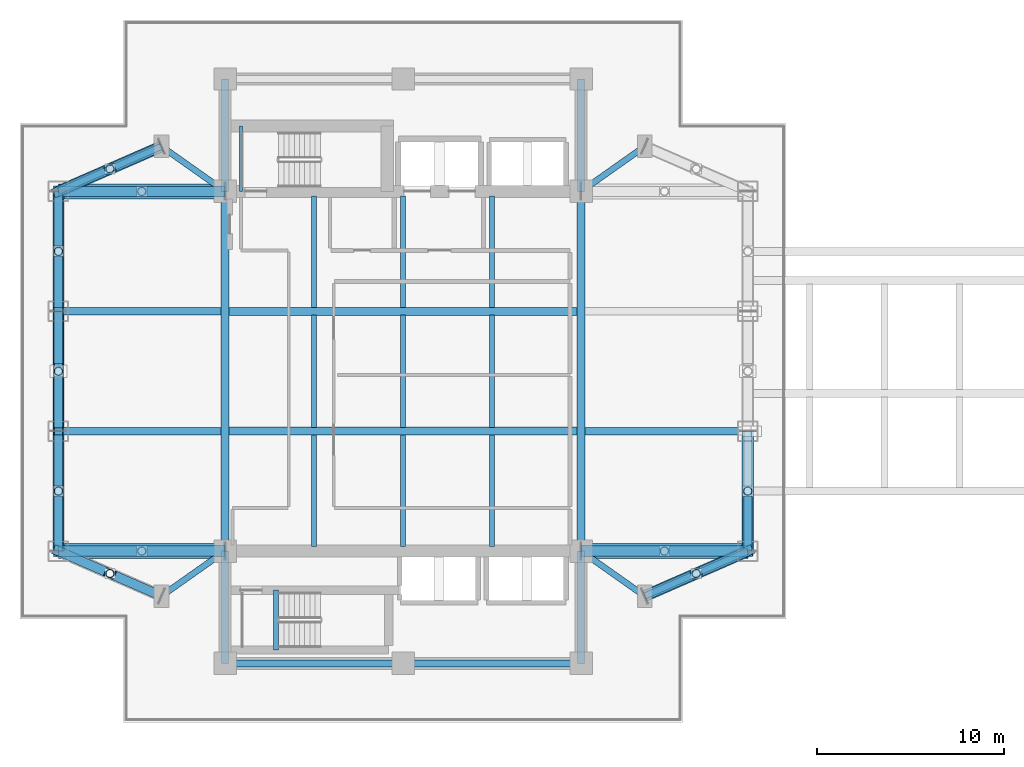
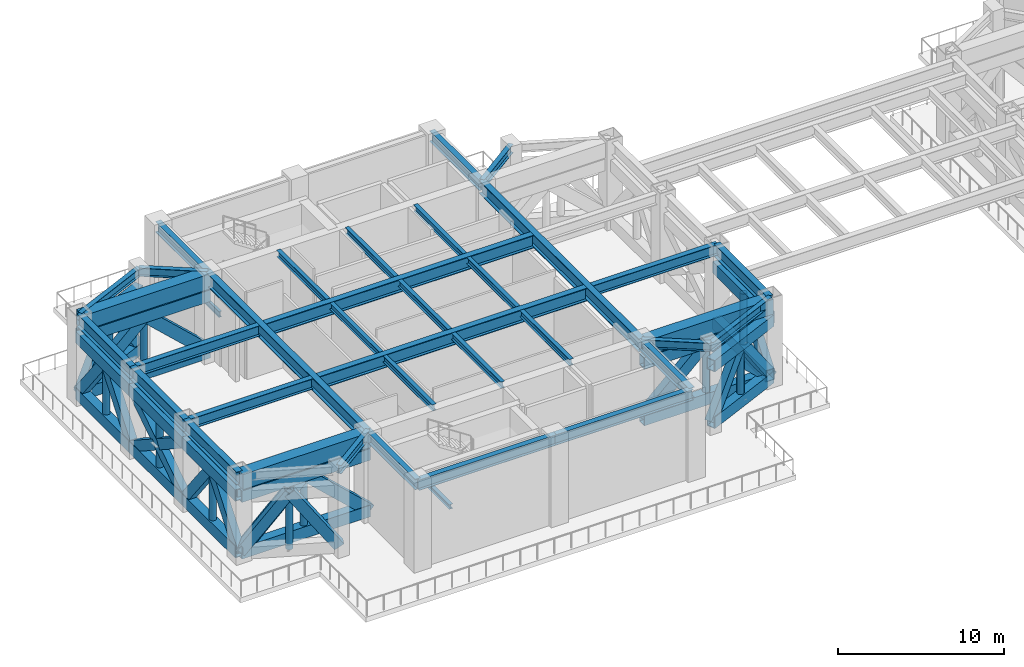
# One storey, part 2 of 21: 48 members, 37 beams.
"""IFC4 building model written with IfcOpenShell, lengths in metres."""

from ifc_helpers import new_model, si_unit, direction, frame, origin, origin_2d, place, context, subcontext, project, spatial, rectangle, hollow_rectangle, hollow_circle, i_section, extrude, material, material_profile, profile_set, type_object, element, save


model = new_model("IFC4")

# Units and contexts
model_context = context("Model", 3, precision=1e-05, world=origin(), true_north=direction((0.0, 1.0)))
body_context = subcontext(model_context, "Body", "Model", "MODEL_VIEW")
ifc_project = project(units=[si_unit("LENGTHUNIT", "METRE"), si_unit("AREAUNIT", "SQUARE_METRE"), si_unit("VOLUMEUNIT", "CUBIC_METRE"), si_unit("PLANEANGLEUNIT", "RADIAN"), si_unit("MASSUNIT", "GRAM", prefix="KILO")], contexts=[model_context])

# Site, building, storey
site_placement = place(None, origin())
site = spatial("IfcSite", under=ifc_project, at=site_placement, CompositionType="ELEMENT")
building_placement = place(site_placement, origin())
building = spatial("IfcBuilding", under=site, at=building_placement, Name="Mirazonda Arch Towers", CompositionType="ELEMENT")
storey_placement = place(building_placement, frame((0.0, 0.0, 81.800048828125)))
storey = spatial("IfcBuildingStorey", under=building, at=storey_placement, Name="L23", CompositionType="ELEMENT", Elevation=81.800048828125)

# Beams
ifc_material_1 = material(Name="Steel ASTM A992 Grade 50", Category="steel")
ifc_material_profile_1 = material_profile(ifc_material_1, i_section(OverallWidth=0.41796875, OverallDepth=0.927001953125, WebThickness=0.019287109375, FlangeThickness=0.031982421875, at=origin_2d()), Name="W36X231")
ifc_profile_set_1 = profile_set([ifc_material_profile_1], Name="Steel ASTM A992 Grade 50")
beam_type_1 = type_object("IfcBeamType", Name="BM-EXT-W36X231", PredefinedType="USERDEFINED", material=ifc_profile_set_1)
beam_1_placement = place(storey_placement, frame((2.10009765625, 18.39990234375, 5.91650390625), z_axis=(0.0, 1.0, 0.0), x_axis=(-1.0, 0.0, 0.0)))
element("IfcBeam", 1, at=beam_1_placement, inside=storey, type_object=beam_type_1, Name="L23 Floor Beam BM-T1-L23-NS-W-18", ObjectType="GIRDER", PredefinedType="USERDEFINED", context=body_context, shape_type="SweptSolid", body=[
    extrude(i_section(OverallWidth=0.41796875, OverallDepth=0.927001953125, WebThickness=0.019287109375, FlangeThickness=0.031982421875, at=origin_2d()), origin(), (0.0, 0.0, 1.0), 6.400146484375),
])
beam_2_placement = place(storey_placement, frame((2.10009765625, 24.800048828125, 5.91650390625), z_axis=(0.0, 1.0, 0.0), x_axis=(-1.0, 0.0, 0.0)))
element("IfcBeam", 2, at=beam_2_placement, inside=storey, type_object=beam_type_1, Name="L23 Floor Beam BM-T1-L23-NS-W-24", ObjectType="GIRDER", PredefinedType="USERDEFINED", context=body_context, shape_type="SweptSolid", body=[
    extrude(i_section(OverallWidth=0.41796875, OverallDepth=0.927001953125, WebThickness=0.019287109375, FlangeThickness=0.031982421875, at=origin_2d()), origin(), (0.0, 0.0, 1.0), 6.39990234375),
])
for number, where, z_axis, x_axis, name in (
    (3, (2.10009765625, 31.199951171875, 5.91650390625), (0.0, 1.0, 0.0), (-1.0, 0.0, 0.0), "L23 Floor Beam BM-T1-L23-NS-W-31"),
    (4, (38.89990234375, 18.39990234375, 5.91650390625), (0.0, 1.0, 0.0), (-1.0, 0.0, 0.0), "L23 Floor Beam BM-T1-L23-NS-E-18"),
):
    element("IfcBeam", number, at=place(storey_placement, frame(where, z_axis=z_axis, x_axis=x_axis)), inside=storey, type_object=beam_type_1, Name=name, ObjectType="GIRDER", PredefinedType="USERDEFINED", context=body_context, shape_type="SweptSolid", body=[
        extrude(i_section(OverallWidth=0.41796875, OverallDepth=0.927001953125, WebThickness=0.019287109375, FlangeThickness=0.031982421875, at=origin_2d()), origin(), (0.0, 0.0, 1.0), 6.400146484375),
    ])
ifc_material_profile_2 = material_profile(ifc_material_1, i_section(OverallWidth=0.257080078125, OverallDepth=0.330078125, WebThickness=0.011962890625, FlangeThickness=0.01953125, at=origin_2d()), Name="W10X68")
ifc_profile_set_2 = profile_set([ifc_material_profile_2], Name="Steel ASTM A992 Grade 50")
beam_type_2 = type_object("IfcBeamType", Name="BM-INT-W10X68", PredefinedType="BEAM", material=ifc_profile_set_2)
beam_3_placement = place(storey_placement, frame((13.719970703125, 13.1201171875, 2.93505859375), z_axis=(0.0, 1.0, 0.0), x_axis=(-1.0, 0.0, 0.0)))
element("IfcBeam", 5, at=beam_3_placement, inside=storey, type_object=beam_type_2, Name="L23 ST-T1S Landing Trimmer Beam", PredefinedType="BEAM", context=body_context, shape_type="SweptSolid", body=[
    extrude(i_section(OverallWidth=0.257080078125, OverallDepth=0.330078125, WebThickness=0.011962890625, FlangeThickness=0.01953125, at=origin_2d()), origin(), (0.0, 0.0, 1.0), 3.199951171875),
])
ifc_material_profile_3 = material_profile(ifc_material_1, i_section(OverallWidth=0.180908203125, OverallDepth=0.4169921875, WebThickness=0.010986328125, FlangeThickness=0.018310546875, at=origin_2d()), Name="W16X57")
ifc_profile_set_3 = profile_set([ifc_material_profile_3], Name="Steel ASTM A992 Grade 50")
beam_type_3 = type_object("IfcBeamType", Name="BM-INT-W16X57", PredefinedType="JOIST", material=ifc_profile_set_3)
beam_4_placement = place(storey_placement, frame((11.85009765625, 37.60009765625, 2.841552734375), z_axis=(0.0, 1.0, 0.0), x_axis=(-1.0, 0.0, 0.0)))
element("IfcBeam", 6, at=beam_4_placement, inside=storey, type_object=beam_type_3, Name="L23 Floor Beam BM-T1-L23-STL2", PredefinedType="JOIST", context=body_context, shape_type="SweptSolid", body=[
    extrude(i_section(OverallWidth=0.180908203125, OverallDepth=0.4169921875, WebThickness=0.010986328125, FlangeThickness=0.018310546875, at=origin_2d()), origin(), (0.0, 0.0, 1.0), 3.492919921875),
])
ifc_material_profile_4 = material_profile(ifc_material_1, i_section(OverallWidth=0.280029296875, OverallDepth=0.462890625, WebThickness=0.0107421875, FlangeThickness=0.017333984375, at=origin_2d()), Name="W18X76")
ifc_profile_set_4 = profile_set([ifc_material_profile_4], Name="Steel ASTM A992 Grade 50")
beam_type_4 = type_object("IfcBeamType", Name="BM-INT-W18X76", PredefinedType="JOIST", material=ifc_profile_set_4)
for number, where, z_axis, x_axis, name in (
    (7, (15.75, 18.639892578125, 6.1484375), (0.0, 1.0, 0.0), (-1.0, 0.0, 0.0), "L23 Floor Beam BM-T1-L23-J-157-18"),
    (8, (15.75, 31.407470703125, 6.1484375), (0.0, 1.0, 0.0), (-1.0, 0.0, 0.0), "L23 Floor Beam BM-T1-L23-J-157-31"),
):
    element("IfcBeam", number, at=place(storey_placement, frame(where, z_axis=z_axis, x_axis=x_axis)), inside=storey, type_object=beam_type_4, Name=name, PredefinedType="JOIST", context=body_context, shape_type="SweptSolid", body=[
        extrude(i_section(OverallWidth=0.280029296875, OverallDepth=0.462890625, WebThickness=0.0107421875, FlangeThickness=0.017333984375, at=origin_2d()), origin(), (0.0, 0.0, 1.0), 5.95263671875),
    ])
beam_5_placement = place(storey_placement, frame((15.75, 25.007568359375, 6.1484375), z_axis=(0.0, 1.0, 0.0), x_axis=(-1.0, 0.0, 0.0)))
element("IfcBeam", 9, at=beam_5_placement, inside=storey, type_object=beam_type_4, Name="L23 Floor Beam BM-T1-L23-J-157-24", PredefinedType="JOIST", context=body_context, shape_type="SweptSolid", body=[
    extrude(i_section(OverallWidth=0.280029296875, OverallDepth=0.462890625, WebThickness=0.0107421875, FlangeThickness=0.017333984375, at=origin_2d()), origin(), (0.0, 0.0, 1.0), 5.98486328125),
])
for number, where, z_axis, x_axis, name in (
    (10, (20.5, 18.639892578125, 6.1484375), (0.0, 1.0, 0.0), (-1.0, 0.0, 0.0), "L23 Floor Beam BM-T1-L23-J-205-18"),
    (11, (20.5, 31.407470703125, 6.1484375), (0.0, 1.0, 0.0), (-1.0, 0.0, 0.0), "L23 Floor Beam BM-T1-L23-J-205-31"),
):
    element("IfcBeam", number, at=place(storey_placement, frame(where, z_axis=z_axis, x_axis=x_axis)), inside=storey, type_object=beam_type_4, Name=name, PredefinedType="JOIST", context=body_context, shape_type="SweptSolid", body=[
        extrude(i_section(OverallWidth=0.280029296875, OverallDepth=0.462890625, WebThickness=0.0107421875, FlangeThickness=0.017333984375, at=origin_2d()), origin(), (0.0, 0.0, 1.0), 5.95263671875),
    ])
beam_6_placement = place(storey_placement, frame((20.5, 25.007568359375, 6.1484375), z_axis=(0.0, 1.0, 0.0), x_axis=(-1.0, 0.0, 0.0)))
element("IfcBeam", 12, at=beam_6_placement, inside=storey, type_object=beam_type_4, Name="L23 Floor Beam BM-T1-L23-J-205-24", PredefinedType="JOIST", context=body_context, shape_type="SweptSolid", body=[
    extrude(i_section(OverallWidth=0.280029296875, OverallDepth=0.462890625, WebThickness=0.0107421875, FlangeThickness=0.017333984375, at=origin_2d()), origin(), (0.0, 0.0, 1.0), 5.98486328125),
])
for number, where, z_axis, x_axis, name in (
    (13, (25.25, 18.639892578125, 6.1484375), (0.0, 1.0, 0.0), (-1.0, 0.0, 0.0), "L23 Floor Beam BM-T1-L23-J-252-18"),
    (14, (25.25, 31.407470703125, 6.1484375), (0.0, 1.0, 0.0), (-1.0, 0.0, 0.0), "L23 Floor Beam BM-T1-L23-J-252-31"),
):
    element("IfcBeam", number, at=place(storey_placement, frame(where, z_axis=z_axis, x_axis=x_axis)), inside=storey, type_object=beam_type_4, Name=name, PredefinedType="JOIST", context=body_context, shape_type="SweptSolid", body=[
        extrude(i_section(OverallWidth=0.280029296875, OverallDepth=0.462890625, WebThickness=0.0107421875, FlangeThickness=0.017333984375, at=origin_2d()), origin(), (0.0, 0.0, 1.0), 5.95263671875),
    ])
beam_7_placement = place(storey_placement, frame((25.25, 25.007568359375, 6.1484375), z_axis=(0.0, 1.0, 0.0), x_axis=(-1.0, 0.0, 0.0)))
element("IfcBeam", 15, at=beam_7_placement, inside=storey, type_object=beam_type_4, Name="L23 Floor Beam BM-T1-L23-J-252-24", PredefinedType="JOIST", context=body_context, shape_type="SweptSolid", body=[
    extrude(i_section(OverallWidth=0.280029296875, OverallDepth=0.462890625, WebThickness=0.0107421875, FlangeThickness=0.017333984375, at=origin_2d()), origin(), (0.0, 0.0, 1.0), 5.98486328125),
])
ifc_material_profile_5 = material_profile(ifc_material_1, i_section(OverallWidth=0.324951171875, OverallDepth=0.615966796875, WebThickness=0.013916015625, FlangeThickness=0.021484375, at=origin_2d()), Name="W24X117")
ifc_profile_set_5 = profile_set([ifc_material_profile_5], Name="Steel ASTM A992 Grade 50")
beam_type_5 = type_object("IfcBeamType", Name="BM-INT-W24X117", PredefinedType="BEAM", material=ifc_profile_set_5)
for number, where, z_axis, x_axis, name in (
    (16, (7.60009765625, 16.0, 6.072021484375), (0.816971114901, 0.576678591087, 0.0), (-0.576678591087, 0.816971114901, 0.0), "L23 Floor Beam BM-T1-L23-PL-SW1"),
    (17, (33.39990234375, 16.0, 6.072021484375), (-0.816971114901, 0.576678591087, 0.0), (-0.576678591087, -0.816971114901, 0.0), "L23 Floor Beam BM-T1-L23-PL-SE1"),
):
    element("IfcBeam", number, at=place(storey_placement, frame(where, z_axis=z_axis, x_axis=x_axis)), inside=storey, type_object=beam_type_5, Name=name, PredefinedType="BEAM", context=body_context, shape_type="SweptSolid", body=[
        extrude(i_section(OverallWidth=0.324951171875, OverallDepth=0.615966796875, WebThickness=0.013916015625, FlangeThickness=0.021484375, at=origin_2d()), origin(), (0.0, 0.0, 1.0), 4.16162109375),
    ])
beam_8_placement = place(storey_placement, frame((33.39990234375, 16.0, 6.072021484375), z_axis=(0.916545343703, 0.399930785183, 0.0), x_axis=(-0.399930785183, 0.916545343703, 0.0)))
element("IfcBeam", 18, at=beam_8_placement, inside=storey, type_object=beam_type_5, Name="L23 Floor Beam BM-T1-L23-PL-SE2", PredefinedType="BEAM", context=body_context, shape_type="SweptSolid", body=[
    extrude(i_section(OverallWidth=0.324951171875, OverallDepth=0.615966796875, WebThickness=0.013916015625, FlangeThickness=0.021484375, at=origin_2d()), origin(), (0.0, 0.0, 1.0), 6.000732421875),
])
beam_9_placement = place(storey_placement, frame((7.60009765625, 40.0, 6.072021484375), z_axis=(0.816971114901, -0.576678591087, 0.0), x_axis=(0.576678591087, 0.816971114901, 0.0)))
element("IfcBeam", 19, at=beam_9_placement, inside=storey, type_object=beam_type_5, Name="L23 Floor Beam BM-T1-L23-PL-NW1", PredefinedType="BEAM", context=body_context, shape_type="SweptSolid", body=[
    extrude(i_section(OverallWidth=0.324951171875, OverallDepth=0.615966796875, WebThickness=0.013916015625, FlangeThickness=0.021484375, at=origin_2d()), origin(), (0.0, 0.0, 1.0), 4.16162109375),
])
beam_10_placement = place(storey_placement, frame((7.60009765625, 40.0, 6.072021484375), z_axis=(-0.916545343703, -0.399930785183, 0.0), x_axis=(0.399930785183, -0.916545343703, 0.0)))
element("IfcBeam", 20, at=beam_10_placement, inside=storey, type_object=beam_type_5, Name="L23 Floor Beam BM-T1-L23-PL-NW2", PredefinedType="BEAM", context=body_context, shape_type="SweptSolid", body=[
    extrude(i_section(OverallWidth=0.324951171875, OverallDepth=0.615966796875, WebThickness=0.013916015625, FlangeThickness=0.021484375, at=origin_2d()), origin(), (0.0, 0.0, 1.0), 6.000732421875),
])
beam_11_placement = place(storey_placement, frame((33.39990234375, 40.0, 6.072021484375), z_axis=(-0.816971114901, -0.576678591087, 0.0), x_axis=(0.576678591087, -0.816971114901, 0.0)))
element("IfcBeam", 21, at=beam_11_placement, inside=storey, type_object=beam_type_5, Name="L23 Floor Beam BM-T1-L23-PL-NE1", PredefinedType="BEAM", context=body_context, shape_type="SweptSolid", body=[
    extrude(i_section(OverallWidth=0.324951171875, OverallDepth=0.615966796875, WebThickness=0.013916015625, FlangeThickness=0.021484375, at=origin_2d()), origin(), (0.0, 0.0, 1.0), 4.16162109375),
])
ifc_material_profile_6 = material_profile(ifc_material_1, i_section(OverallWidth=0.381103515625, OverallDepth=0.77294921875, WebThickness=0.0166015625, FlangeThickness=0.027099609375, at=origin_2d()), Name="W30X173")
ifc_profile_set_6 = profile_set([ifc_material_profile_6], Name="Steel ASTM A992 Grade 50")
beam_type_6 = type_object("IfcBeamType", Name="BM-INT-W30X173", PredefinedType="USERDEFINED", material=ifc_profile_set_6)
for number, where, z_axis, x_axis, name in (
    (22, (2.10009765625, 24.800048828125, 5.993408203125), (1.0, 0.0, 0.0), (0.0, 1.0, 0.0), "L23 Floor Beam BM-T1-L23-GW2"),
    (23, (30.21142578125, 24.800048828125, 5.993408203125), (1.0, 0.0, 0.0), (0.0, 1.0, 0.0), "L23 Floor Beam BM-T1-L23-GE2"),
    (24, (2.10009765625, 31.199951171875, 5.993408203125), (1.0, 0.0, 0.0), (0.0, 1.0, 0.0), "L23 Floor Beam BM-T1-L23-GW3"),
):
    element("IfcBeam", number, at=place(storey_placement, frame(where, z_axis=z_axis, x_axis=x_axis)), inside=storey, type_object=beam_type_6, Name=name, ObjectType="GIRDER", PredefinedType="USERDEFINED", context=body_context, shape_type="SweptSolid", body=[
        extrude(i_section(OverallWidth=0.381103515625, OverallDepth=0.77294921875, WebThickness=0.0166015625, FlangeThickness=0.027099609375, at=origin_2d()), origin(), (0.0, 0.0, 1.0), 8.6884765625),
    ])
for number, where, z_axis, x_axis, name in (
    (25, (11.0, 12.39990234375, 5.993408203125), (1.0, 0.0, 0.0), (0.0, 1.0, 0.0), "L23 Floor Beam BM-T1-L23-CS1"),
    (26, (20.5, 12.39990234375, 5.993408203125), (1.0, 0.0, 0.0), (0.0, 1.0, 0.0), "L23 Floor Beam BM-T1-L23-CS2"),
):
    element("IfcBeam", number, at=place(storey_placement, frame(where, z_axis=z_axis, x_axis=x_axis)), inside=storey, type_object=beam_type_6, Name=name, ObjectType="GIRDER", PredefinedType="USERDEFINED", context=body_context, shape_type="SweptSolid", body=[
        extrude(i_section(OverallWidth=0.381103515625, OverallDepth=0.77294921875, WebThickness=0.0166015625, FlangeThickness=0.027099609375, at=origin_2d()), origin(), (0.0, 0.0, 1.0), 9.5),
    ])
for number, where, z_axis, x_axis, name in (
    (27, (11.0, 12.39990234375, 5.993408203125), (0.0, 1.0, 0.0), (-1.0, 0.0, 0.0), "L23 Floor Beam BM-T1-L23-CSW"),
    (28, (30.0, 12.39990234375, 5.993408203125), (0.0, 1.0, 0.0), (-1.0, 0.0, 0.0), "L23 Floor Beam BM-T1-L23-CSE"),
    (29, (11.0, 37.60009765625, 5.993408203125), (0.0, 1.0, 0.0), (-1.0, 0.0, 0.0), "L23 Floor Beam BM-T1-L23-CNW"),
    (30, (30.0, 37.60009765625, 5.993408203125), (0.0, 1.0, 0.0), (-1.0, 0.0, 0.0), "L23 Floor Beam BM-T1-L23-CNE"),
):
    element("IfcBeam", number, at=place(storey_placement, frame(where, z_axis=z_axis, x_axis=x_axis)), inside=storey, type_object=beam_type_6, Name=name, ObjectType="GIRDER", PredefinedType="USERDEFINED", context=body_context, shape_type="SweptSolid", body=[
        extrude(i_section(OverallWidth=0.381103515625, OverallDepth=0.77294921875, WebThickness=0.0166015625, FlangeThickness=0.027099609375, at=origin_2d()), origin(), (0.0, 0.0, 1.0), 6.0),
    ])
ifc_material_profile_7 = material_profile(ifc_material_1, i_section(OverallWidth=0.423095703125, OverallDepth=0.947998046875, WebThickness=0.02392578125, FlangeThickness=0.042724609375, at=origin_2d()), Name="W36X302")
ifc_profile_set_7 = profile_set([ifc_material_profile_7], Name="Steel ASTM A992 Grade 50")
beam_type_7 = type_object("IfcBeamType", Name="BM-INT-W36X302", PredefinedType="USERDEFINED", material=ifc_profile_set_7)
for number, where, z_axis, x_axis, name in (
    (31, (11.21142578125, 24.800048828125, 5.906005859375), (1.0, 0.0, 0.0), (0.0, 1.0, 0.0), "L23 Floor Beam BM-T1-L23-GC2"),
    (32, (11.21142578125, 31.199951171875, 5.906005859375), (1.0, 0.0, 0.0), (0.0, 1.0, 0.0), "L23 Floor Beam BM-T1-L23-GC3"),
):
    element("IfcBeam", number, at=place(storey_placement, frame(where, z_axis=z_axis, x_axis=x_axis)), inside=storey, type_object=beam_type_7, Name=name, ObjectType="GIRDER", PredefinedType="USERDEFINED", context=body_context, shape_type="SweptSolid", body=[
        extrude(i_section(OverallWidth=0.423095703125, OverallDepth=0.947998046875, WebThickness=0.02392578125, FlangeThickness=0.042724609375, at=origin_2d()), origin(), (0.0, 0.0, 1.0), 18.5771484375),
    ])
for number, where, z_axis, x_axis, name in (
    (33, (11.0, 18.39990234375, 5.906005859375), (0.0, 1.0, 0.0), (-1.0, 0.0, 0.0), "L23 Floor Beam BM-T1-L23-NS-CW-FULL"),
    (34, (30.0, 18.39990234375, 5.906005859375), (0.0, 1.0, 0.0), (-1.0, 0.0, 0.0), "L23 Floor Beam BM-T1-L23-NS-CE-FULL"),
):
    element("IfcBeam", number, at=place(storey_placement, frame(where, z_axis=z_axis, x_axis=x_axis)), inside=storey, type_object=beam_type_7, Name=name, ObjectType="GIRDER", PredefinedType="USERDEFINED", context=body_context, shape_type="SweptSolid", body=[
        extrude(i_section(OverallWidth=0.423095703125, OverallDepth=0.947998046875, WebThickness=0.02392578125, FlangeThickness=0.042724609375, at=origin_2d()), origin(), (0.0, 0.0, 1.0), 19.2001953125),
    ])
ifc_material_2 = material(Name="Concrete C60/75", Category="concrete")
ifc_material_profile_8 = material_profile(ifc_material_2, rectangle(XDim=0.800048828125, YDim=1.10009765625, at=origin_2d()), Name="RCCB800x1100")
ifc_profile_set_8 = profile_set([ifc_material_profile_8], Name="Concrete C60/75")
beam_type_8 = type_object("IfcBeamType", Name="CB-INT-RCCB800x1100", PredefinedType="SPANDREL", material=ifc_profile_set_8)
for number, where, z_axis, x_axis, name in (
    (35, (2.10009765625, 37.60009765625, 5.829833984375), (1.0, 0.0, 0.0), (0.0, 1.0, 0.0), "L23 Floor Beam CB-T1-L23-NW"),
    (36, (2.10009765625, 18.39990234375, 5.829833984375), (1.0, 0.0, 0.0), (0.0, 1.0, 0.0), "L23 Floor Beam CB-T1-L23-SW"),
    (37, (30.0, 18.39990234375, 5.829833984375), (1.0, 0.0, 0.0), (0.0, 1.0, 0.0), "L23 Floor Beam CB-T1-L23-SE"),
):
    element("IfcBeam", number, at=place(storey_placement, frame(where, z_axis=z_axis, x_axis=x_axis)), inside=storey, type_object=beam_type_8, Name=name, PredefinedType="SPANDREL", context=body_context, shape_type="SweptSolid", body=[
        extrude(rectangle(XDim=0.800048828125, YDim=1.10009765625, at=origin_2d()), origin(), (0.0, 0.0, 1.0), 8.89990234375),
    ])

# Members
ifc_material_3 = material(Name="Steel ASTM A572 Grade 50", Category="steel")
ifc_material_profile_9 = material_profile(ifc_material_3, hollow_rectangle(XDim=0.60009765625, YDim=0.85009765625, WallThickness=0.048095703125, at=origin_2d()), Name="BELTCHORD850x600x48")
ifc_profile_set_9 = profile_set([ifc_material_profile_9], Name="Steel ASTM A572 Grade 50")
member_type_1 = type_object("IfcMemberType", Name="MBR-EXT-BELTCHORD850x600x48", PredefinedType="CHORD", material=ifc_profile_set_9)
for number, where, z_axis, x_axis, name in (
    (38, (2.10009765625, 18.39990234375, 0.550048828125), (0.0, 1.0, 0.0), (-1.0, 0.0, 0.0), "L23 T1 Wind-Portal Belt Chord BC01"),
    (39, (2.10009765625, 18.39990234375, 4.699951171875), (0.0, 1.0, 0.0), (-1.0, 0.0, 0.0), "L23 T1 Wind-Portal Belt Chord TC01"),
):
    element("IfcMember", number, at=place(storey_placement, frame(where, z_axis=z_axis, x_axis=x_axis)), inside=storey, type_object=member_type_1, Name=name, PredefinedType="CHORD", context=body_context, shape_type="SweptSolid", body=[
        extrude(hollow_rectangle(XDim=0.60009765625, YDim=0.85009765625, WallThickness=0.048095703125, at=origin_2d()), origin(), (0.0, 0.0, 1.0), 6.400146484375),
    ])
for number, where, z_axis, x_axis, name in (
    (40, (2.10009765625, 24.800048828125, 0.550048828125), (0.0, 1.0, 0.0), (-1.0, 0.0, 0.0), "L23 T1 Wind-Portal Belt Chord BC02"),
    (41, (2.10009765625, 24.800048828125, 4.699951171875), (0.0, 1.0, 0.0), (-1.0, 0.0, 0.0), "L23 T1 Wind-Portal Belt Chord TC02"),
):
    element("IfcMember", number, at=place(storey_placement, frame(where, z_axis=z_axis, x_axis=x_axis)), inside=storey, type_object=member_type_1, Name=name, PredefinedType="CHORD", context=body_context, shape_type="SweptSolid", body=[
        extrude(hollow_rectangle(XDim=0.60009765625, YDim=0.85009765625, WallThickness=0.048095703125, at=origin_2d()), origin(), (0.0, 0.0, 1.0), 6.39990234375),
    ])
for number, where, z_axis, x_axis, name in (
    (42, (2.10009765625, 31.199951171875, 0.550048828125), (0.0, 1.0, 0.0), (-1.0, 0.0, 0.0), "L23 T1 Wind-Portal Belt Chord BC03"),
    (43, (2.10009765625, 31.199951171875, 4.699951171875), (0.0, 1.0, 0.0), (-1.0, 0.0, 0.0), "L23 T1 Wind-Portal Belt Chord TC03"),
    (44, (38.89990234375, 18.39990234375, 0.550048828125), (0.0, 1.0, 0.0), (-1.0, 0.0, 0.0), "L23 T1 Wind-Portal Belt Chord BC04"),
    (45, (38.89990234375, 18.39990234375, 4.699951171875), (0.0, 1.0, 0.0), (-1.0, 0.0, 0.0), "L23 T1 Wind-Portal Belt Chord TC04"),
):
    element("IfcMember", number, at=place(storey_placement, frame(where, z_axis=z_axis, x_axis=x_axis)), inside=storey, type_object=member_type_1, Name=name, PredefinedType="CHORD", context=body_context, shape_type="SweptSolid", body=[
        extrude(hollow_rectangle(XDim=0.60009765625, YDim=0.85009765625, WallThickness=0.048095703125, at=origin_2d()), origin(), (0.0, 0.0, 1.0), 6.400146484375),
    ])
for number, where, z_axis, x_axis, name in (
    (46, (33.39990234375, 16.0, 0.550048828125), (0.916545343703, 0.399930785183, 0.0), (-0.399930785183, 0.916545343703, 0.0), "L23 T1 Wind-Portal Belt Chord BC08"),
    (47, (33.39990234375, 16.0, 4.699951171875), (0.916545343703, 0.399930785183, 0.0), (-0.399930785183, 0.916545343703, 0.0), "L23 T1 Wind-Portal Belt Chord TC08"),
    (48, (2.10009765625, 37.60009765625, 0.550048828125), (0.916545343703, 0.399930785183, 0.0), (-0.399930785183, 0.916545343703, 0.0), "L23 T1 Wind-Portal Belt Chord BC09"),
    (49, (2.10009765625, 37.60009765625, 4.699951171875), (0.916545343703, 0.399930785183, 0.0), (-0.399930785183, 0.916545343703, 0.0), "L23 T1 Wind-Portal Belt Chord TC09"),
):
    element("IfcMember", number, at=place(storey_placement, frame(where, z_axis=z_axis, x_axis=x_axis)), inside=storey, type_object=member_type_1, Name=name, PredefinedType="CHORD", context=body_context, shape_type="SweptSolid", body=[
        extrude(hollow_rectangle(XDim=0.60009765625, YDim=0.85009765625, WallThickness=0.048095703125, at=origin_2d()), origin(), (0.0, 0.0, 1.0), 6.000732421875),
    ])
ifc_material_profile_10 = material_profile(ifc_material_3, hollow_rectangle(XDim=0.5, YDim=0.699951171875, WallThickness=0.0400390625, at=origin_2d()), Name="BELTDIAG700x500x40")
ifc_profile_set_10 = profile_set([ifc_material_profile_10], Name="Steel ASTM A572 Grade 50")
member_type_2 = type_object("IfcMemberType", Name="MBR-EXT-BELTDIAG700x500x40", PredefinedType="BRACE", material=ifc_profile_set_10)
for number, where, z_axis, x_axis, name in (
    (50, (2.10009765625, 18.39990234375, 0.550048828125), (0.0, 0.610664923148, 0.791889103118), (-1.0, 0.0, 0.0), "L23 T1 Wind-Portal Belt Diagonal 01A"),
    (51, (2.10009765625, 24.800048828125, 0.550048828125), (0.0, -0.610635707615, 0.791911631803), (1.0, 0.0, 0.0), "L23 T1 Wind-Portal Belt Diagonal 01B"),
):
    element("IfcMember", number, at=place(storey_placement, frame(where, z_axis=z_axis, x_axis=x_axis)), inside=storey, type_object=member_type_2, Name=name, PredefinedType="BRACE", context=body_context, shape_type="SweptSolid", body=[
        extrude(hollow_rectangle(XDim=0.5, YDim=0.699951171875, WallThickness=0.0400390625, at=origin_2d()), origin(), (0.0, 0.0, 1.0), 5.240478515625),
    ])
member_placement = place(storey_placement, frame((2.10009765625, 24.800048828125, 0.550048828125), z_axis=(0.0, 0.839044216988, 0.544063233401), x_axis=(-1.0, 0.0, 0.0)))
element("IfcMember", 52, at=member_placement, inside=storey, type_object=member_type_2, Name="L23 T1 Continuous X-Brace Diagonal 02", PredefinedType="BRACE", context=body_context, shape_type="SweptSolid", body=[
    extrude(hollow_rectangle(XDim=0.5, YDim=0.699951171875, WallThickness=0.0400390625, at=origin_2d()), origin(), (0.0, 0.0, 1.0), 7.627685546875),
])
for number, where, z_axis, x_axis, name in (
    (53, (2.10009765625, 31.199951171875, 0.550048828125), (0.0, -0.839050785701, 0.54405310312), (1.0, 0.0, 0.0), "L23 T1 Split X-Brace Lower Segment 02"),
    (54, (2.10009765625, 27.76513671875, 2.77734375), (0.0, -0.839050785701, 0.54405310312), (1.0, 0.0, 0.0), "L23 T1 Split X-Brace Upper Segment 02"),
):
    element("IfcMember", number, at=place(storey_placement, frame(where, z_axis=z_axis, x_axis=x_axis)), inside=storey, type_object=member_type_2, Name=name, PredefinedType="BRACE", context=body_context, shape_type="SweptSolid", body=[
        extrude(hollow_rectangle(XDim=0.5, YDim=0.699951171875, WallThickness=0.0400390625, at=origin_2d()), origin(), (0.0, 0.0, 1.0), 3.533935546875),
    ])
for number, where, z_axis, x_axis, name in (
    (55, (2.10009765625, 31.199951171875, 0.550048828125), (0.0, 0.610635707615, 0.791911631803), (-1.0, 0.0, 0.0), "L23 T1 Wind-Portal Belt Diagonal 03A"),
    (56, (2.10009765625, 37.60009765625, 0.550048828125), (0.0, -0.610664923148, 0.791889103118), (1.0, 0.0, 0.0), "L23 T1 Wind-Portal Belt Diagonal 03B"),
    (57, (38.89990234375, 18.39990234375, 0.550048828125), (0.0, 0.610664923148, 0.791889103118), (-1.0, 0.0, 0.0), "L23 T1 Wind-Portal Belt Diagonal 04A"),
):
    element("IfcMember", number, at=place(storey_placement, frame(where, z_axis=z_axis, x_axis=x_axis)), inside=storey, type_object=member_type_2, Name=name, PredefinedType="BRACE", context=body_context, shape_type="SweptSolid", body=[
        extrude(hollow_rectangle(XDim=0.5, YDim=0.699951171875, WallThickness=0.0400390625, at=origin_2d()), origin(), (0.0, 0.0, 1.0), 5.240478515625),
    ])
for number, where, z_axis, x_axis, name in (
    (58, (2.10009765625, 18.39990234375, 0.550048828125), (0.537010314297, -0.234322238527, 0.810378313425), (0.399930785183, 0.916545343703, 0.0), "L23 T1 Wind-Portal Belt Diagonal 07A"),
    (59, (7.60009765625, 16.0, 0.550048828125), (-0.537010314297, 0.234322238527, 0.810378313425), (-0.399930785183, -0.916545343703, 0.0), "L23 T1 Wind-Portal Belt Diagonal 07B"),
    (60, (33.39990234375, 16.0, 0.550048828125), (0.537010314297, 0.234322238527, 0.810378313425), (-0.399930785183, 0.916545343703, 0.0), "L23 T1 Wind-Portal Belt Diagonal 08A"),
    (61, (38.89990234375, 18.39990234375, 0.550048828125), (-0.537010314297, -0.234322238527, 0.810378313425), (0.399930785183, -0.916545343703, 0.0), "L23 T1 Wind-Portal Belt Diagonal 08B"),
    (62, (2.10009765625, 37.60009765625, 0.550048828125), (0.537010314297, 0.234322238527, 0.810378313425), (-0.399930785183, 0.916545343703, 0.0), "L23 T1 Wind-Portal Belt Diagonal 09A"),
    (63, (7.60009765625, 40.0, 0.550048828125), (-0.537010314297, -0.234322238527, 0.810378313425), (0.399930785183, -0.916545343703, 0.0), "L23 T1 Wind-Portal Belt Diagonal 09B"),
):
    element("IfcMember", number, at=place(storey_placement, frame(where, z_axis=z_axis, x_axis=x_axis)), inside=storey, type_object=member_type_2, Name=name, PredefinedType="BRACE", context=body_context, shape_type="SweptSolid", body=[
        extrude(hollow_rectangle(XDim=0.5, YDim=0.699951171875, WallThickness=0.0400390625, at=origin_2d()), origin(), (0.0, 0.0, 1.0), 5.120849609375),
    ])
ifc_material_profile_11 = material_profile(ifc_material_3, hollow_circle(Radius=0.228515625, WallThickness=0.02197265625, at=origin_2d()), Name="BELTSTRUT457x22CHS")
ifc_profile_set_11 = profile_set([ifc_material_profile_11], Name="Steel ASTM A572 Grade 50")
member_type_3 = type_object("IfcMemberType", Name="MBR-EXT-BELTSTRUT457x22CHS", PredefinedType="STRUT", material=ifc_profile_set_11)
for number, where, z_axis, x_axis, name in (
    (64, (2.10009765625, 21.60009765625, 0.550048828125), (0.0, 0.0, 1.0), (1.0, 0.0, 0.0), "L23 T1 Wind-Portal Belt Strut 01"),
    (65, (2.10009765625, 28.0, 0.550048828125), (0.0, 0.0, 1.0), (1.0, 0.0, 0.0), "L23 T1 Wind-Portal Belt Strut 02"),
    (66, (2.10009765625, 34.39990234375, 0.550048828125), (0.0, 0.0, 1.0), (1.0, 0.0, 0.0), "L23 T1 Wind-Portal Belt Strut 03"),
    (67, (38.89990234375, 21.60009765625, 0.550048828125), (0.0, 0.0, 1.0), (1.0, 0.0, 0.0), "L23 T1 Wind-Portal Belt Strut 04"),
    (68, (4.85009765625, 17.199951171875, 0.550048828125), (0.0, 0.0, 1.0), (1.0, 0.0, 0.0), "L23 T1 Wind-Portal Belt Strut 07"),
    (69, (36.14990234375, 17.199951171875, 0.550048828125), (0.0, 0.0, 1.0), (1.0, 0.0, 0.0), "L23 T1 Wind-Portal Belt Strut 08"),
    (70, (4.85009765625, 38.800048828125, 0.550048828125), (0.0, 0.0, 1.0), (1.0, 0.0, 0.0), "L23 T1 Wind-Portal Belt Strut 09"),
):
    element("IfcMember", number, at=place(storey_placement, frame(where, z_axis=z_axis, x_axis=x_axis)), inside=storey, type_object=member_type_3, Name=name, PredefinedType="STRUT", context=body_context, shape_type="SweptSolid", body=[
        extrude(hollow_circle(Radius=0.228515625, WallThickness=0.02197265625, at=origin_2d()), origin(), (0.0, 0.0, 1.0), 4.14990234375),
    ])
ifc_material_profile_12 = material_profile(ifc_material_3, hollow_rectangle(XDim=0.60009765625, YDim=0.85009765625, WallThickness=0.048095703125, at=origin_2d()), Name="BELTCHORD850x600x48")
ifc_profile_set_12 = profile_set([ifc_material_profile_12], Name="Steel ASTM A572 Grade 50")
member_type_4 = type_object("IfcMemberType", Name="MBR-INT-BELTCHORD850x600x48", PredefinedType="CHORD", material=ifc_profile_set_12)
for number, where, z_axis, x_axis, name in (
    (71, (2.10009765625, 18.39990234375, 0.550048828125), (1.0, 0.0, 0.0), (0.0, 1.0, 0.0), "L23 T1 Core Outrigger Chord BC01"),
    (72, (2.10009765625, 18.39990234375, 4.699951171875), (1.0, 0.0, 0.0), (0.0, 1.0, 0.0), "L23 T1 Core Outrigger Chord TC01"),
    (73, (30.0, 18.39990234375, 0.550048828125), (1.0, 0.0, 0.0), (0.0, 1.0, 0.0), "L23 T1 Core Outrigger Chord BC02"),
    (74, (30.0, 18.39990234375, 4.699951171875), (1.0, 0.0, 0.0), (0.0, 1.0, 0.0), "L23 T1 Core Outrigger Chord TC02"),
    (75, (2.10009765625, 37.60009765625, 0.550048828125), (1.0, 0.0, 0.0), (0.0, 1.0, 0.0), "L23 T1 Core Outrigger Chord BC03"),
    (76, (2.10009765625, 37.60009765625, 4.699951171875), (1.0, 0.0, 0.0), (0.0, 1.0, 0.0), "L23 T1 Core Outrigger Chord TC03"),
):
    element("IfcMember", number, at=place(storey_placement, frame(where, z_axis=z_axis, x_axis=x_axis)), inside=storey, type_object=member_type_4, Name=name, PredefinedType="CHORD", context=body_context, shape_type="SweptSolid", body=[
        extrude(hollow_rectangle(XDim=0.60009765625, YDim=0.85009765625, WallThickness=0.048095703125, at=origin_2d()), origin(), (0.0, 0.0, 1.0), 8.89990234375),
    ])
ifc_material_profile_13 = material_profile(ifc_material_3, hollow_circle(Radius=0.228515625, WallThickness=0.02197265625, at=origin_2d()), Name="BELTSTRUT457x22CHS")
ifc_profile_set_13 = profile_set([ifc_material_profile_13], Name="Steel ASTM A572 Grade 50")
member_type_5 = type_object("IfcMemberType", Name="MBR-INT-BELTSTRUT457x22CHS", PredefinedType="STRUT", material=ifc_profile_set_13)
for number, where, z_axis, x_axis, name in (
    (77, (6.550048828125, 18.39990234375, 0.550048828125), (0.0, 0.0, 1.0), (1.0, 0.0, 0.0), "L23 T1 Core Outrigger Strut 01"),
    (78, (34.449951171875, 18.39990234375, 0.550048828125), (0.0, 0.0, 1.0), (1.0, 0.0, 0.0), "L23 T1 Core Outrigger Strut 02"),
    (79, (6.550048828125, 37.60009765625, 0.550048828125), (0.0, 0.0, 1.0), (1.0, 0.0, 0.0), "L23 T1 Core Outrigger Strut 03"),
):
    element("IfcMember", number, at=place(storey_placement, frame(where, z_axis=z_axis, x_axis=x_axis)), inside=storey, type_object=member_type_5, Name=name, PredefinedType="STRUT", context=body_context, shape_type="SweptSolid", body=[
        extrude(hollow_circle(Radius=0.228515625, WallThickness=0.02197265625, at=origin_2d()), origin(), (0.0, 0.0, 1.0), 4.14990234375),
    ])
ifc_material_profile_14 = material_profile(ifc_material_3, hollow_rectangle(XDim=0.550048828125, YDim=0.800048828125, WallThickness=0.044921875, at=origin_2d()), Name="OUTRIGGER800x550x45")
ifc_profile_set_14 = profile_set([ifc_material_profile_14], Name="Steel ASTM A572 Grade 50")
member_type_6 = type_object("IfcMemberType", Name="MBR-INT-OUTRIGGER800x550x45", PredefinedType="BRACE", material=ifc_profile_set_14)
for number, where, z_axis, x_axis, name in (
    (80, (2.10009765625, 18.39990234375, 0.550048828125), (0.731332737233, 0.0, 0.682020840922), (0.0, 1.0, 0.0), "L23 T1 Core Outrigger Diagonal 01A"),
    (81, (11.0, 18.39990234375, 0.550048828125), (-0.731332737233, 0.0, 0.682020840922), (0.0, -1.0, 0.0), "L23 T1 Core Outrigger Diagonal 01B"),
    (82, (30.0, 18.39990234375, 0.550048828125), (0.731332737233, 0.0, 0.682020840922), (0.0, 1.0, 0.0), "L23 T1 Core Outrigger Diagonal 02A"),
    (83, (38.89990234375, 18.39990234375, 0.550048828125), (-0.731332737233, 0.0, 0.682020840922), (0.0, -1.0, 0.0), "L23 T1 Core Outrigger Diagonal 02B"),
    (84, (2.10009765625, 37.60009765625, 0.550048828125), (0.731332737233, 0.0, 0.682020840922), (0.0, 1.0, 0.0), "L23 T1 Core Outrigger Diagonal 03A"),
    (85, (11.0, 37.60009765625, 0.550048828125), (-0.731332737233, 0.0, 0.682020840922), (0.0, -1.0, 0.0), "L23 T1 Core Outrigger Diagonal 03B"),
):
    element("IfcMember", number, at=place(storey_placement, frame(where, z_axis=z_axis, x_axis=x_axis)), inside=storey, type_object=member_type_6, Name=name, PredefinedType="BRACE", context=body_context, shape_type="SweptSolid", body=[
        extrude(hollow_rectangle(XDim=0.550048828125, YDim=0.800048828125, WallThickness=0.044921875, at=origin_2d()), origin(), (0.0, 0.0, 1.0), 6.084716796875),
    ])

save(model, "model.ifc")
